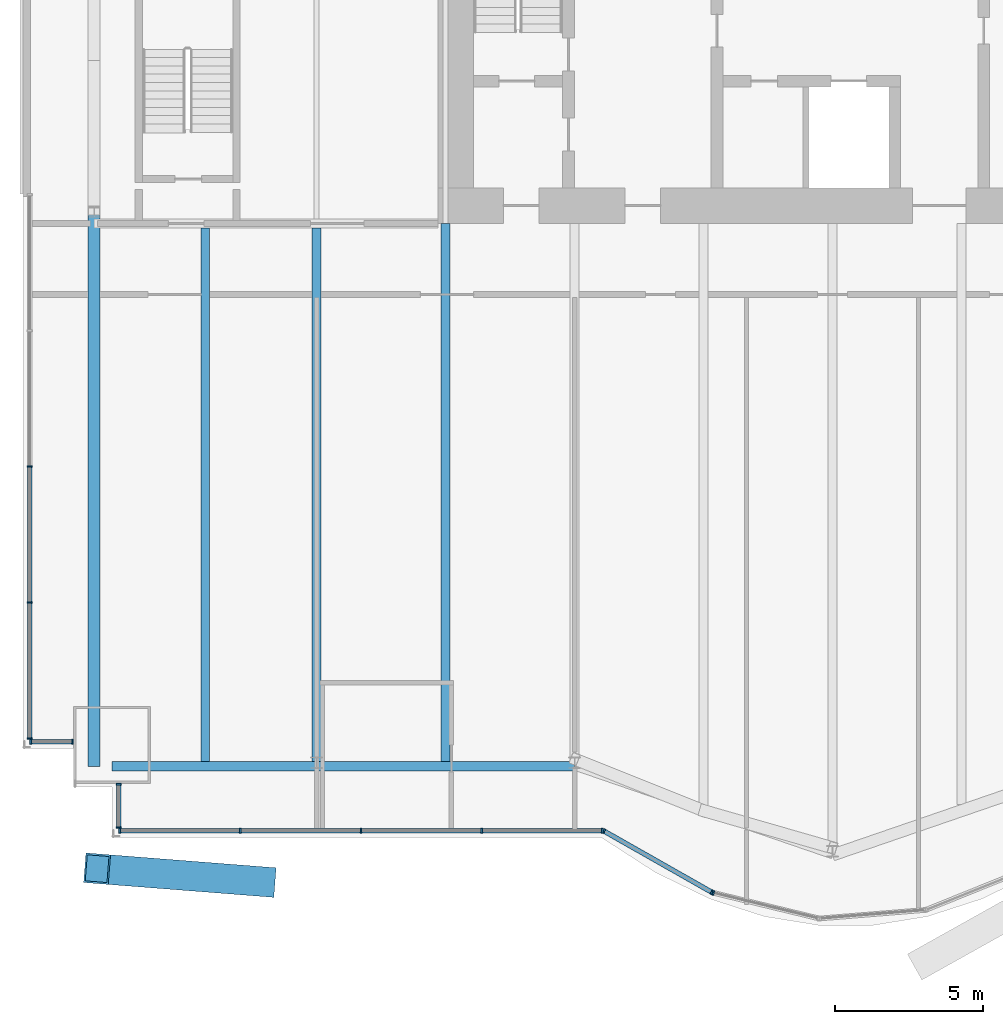
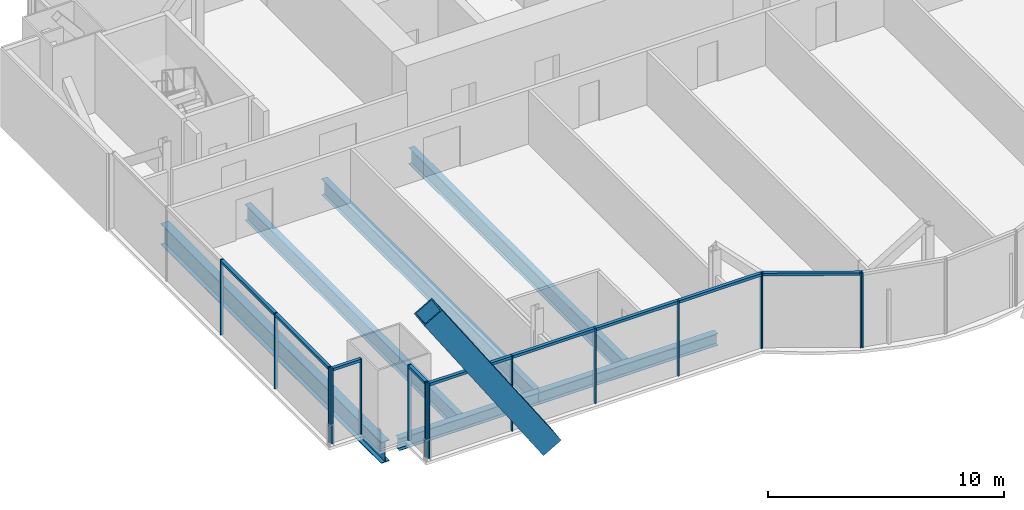
# One storey, part 5 of 21: 25 members, 6 beams, 5 elements without a shape of their own.
"""IFC4 building model written with IfcOpenShell, lengths in metres."""

from ifc_helpers import new_model, si_unit, direction, frame, origin, origin_2d, place, context, subcontext, project, spatial, rectangle, hollow_rectangle, i_section, extrude, material, material_profile, profile_set, type_object, element, aggregate, save


model = new_model("IFC4")

# Units and contexts
model_context = context("Model", 3, precision=1e-05, world=origin(), true_north=direction((0.0, 1.0)))
body_context = subcontext(model_context, "Body", "Model", "MODEL_VIEW")
ifc_project = project(units=[si_unit("LENGTHUNIT", "METRE"), si_unit("AREAUNIT", "SQUARE_METRE"), si_unit("VOLUMEUNIT", "CUBIC_METRE"), si_unit("PLANEANGLEUNIT", "RADIAN"), si_unit("MASSUNIT", "GRAM", prefix="KILO")], contexts=[model_context])

# Site, building, storey
site_placement = place(None, origin())
site = spatial("IfcSite", under=ifc_project, at=site_placement, CompositionType="ELEMENT")
building_placement = place(site_placement, origin())
building = spatial("IfcBuilding", under=site, at=building_placement, Name="Bicima Exchange Tower", CompositionType="ELEMENT")
storey_placement = place(building_placement, frame((0.0, 0.0, 181.39990234375)))
storey = spatial("IfcBuildingStorey", under=building, at=storey_placement, Name="L40", CompositionType="ELEMENT", Elevation=181.39990234375)

# Curtain wall, members
ifc_material_1 = material(Name="Anodised bronze aluminium", Category="aluminium")
curtain_wall_type_1 = type_object("IfcCurtainWallType", Name="End face glass wall", PredefinedType="NOTDEFINED", material=ifc_material_1)
curtain_wall_1_placement = place(storey_placement, origin())
curtain_wall_1 = element("IfcCurtainWall", 1, at=curtain_wall_1_placement, inside=storey, type_object=curtain_wall_type_1, Name="End face glass wall L40 run 2", PredefinedType="NOTDEFINED")
ifc_material_profile_1 = material_profile(ifc_material_1, rectangle(XDim=0.159912109375, YDim=0.06005859375, at=origin_2d()))
ifc_profile_set_1 = profile_set([ifc_material_profile_1], Name="Anodised bronze aluminium")
member_type_1 = type_object("IfcMemberType", Name="End face glass wall mullion 60 x 160", PredefinedType="MULLION", material=ifc_profile_set_1)
member_1_placement = place(storey_placement, frame((-35.77001953125, -21.197021484375, 0.0), z_axis=(0.0, 0.0, 1.0), x_axis=(1.0, 0.0, 0.0)))
member_1 = element("IfcMember", 2, at=member_1_placement, type_object=member_type_1, Name="End face glass wall mullion 3", PredefinedType="MULLION", context=body_context, shape_type="SweptSolid", body=[
    extrude(rectangle(XDim=0.159912109375, YDim=0.06005859375, at=origin_2d()), origin(), (0.0, 0.0, 1.0), 3.900146484375),
])
member_2_placement = place(storey_placement, frame((-35.77001953125, -25.780517578125, 0.0), z_axis=(0.0, 0.0, 1.0), x_axis=(1.0, 0.0, 0.0)))
member_2 = element("IfcMember", 3, at=member_2_placement, type_object=member_type_1, Name="End face glass wall mullion 4", PredefinedType="MULLION", context=body_context, shape_type="SweptSolid", body=[
    extrude(rectangle(XDim=0.159912109375, YDim=0.06005859375, at=origin_2d()), origin(), (0.0, 0.0, 1.0), 3.900146484375),
])
member_3_placement = place(storey_placement, frame((-35.77001953125, -30.364013671875, 0.0), z_axis=(0.0, 0.0, 1.0), x_axis=(1.0, 0.0, 0.0)))
member_3 = element("IfcMember", 4, at=member_3_placement, type_object=member_type_1, Name="End face glass wall mullion 5", PredefinedType="MULLION", context=body_context, shape_type="SweptSolid", body=[
    extrude(rectangle(XDim=0.159912109375, YDim=0.06005859375, at=origin_2d()), origin(), (0.0, 0.0, 1.0), 3.900146484375),
])
ifc_material_profile_2 = material_profile(ifc_material_1, rectangle(XDim=0.159912109375, YDim=0.139892578125, at=origin_2d()))
ifc_profile_set_2 = profile_set([ifc_material_profile_2], Name="Anodised bronze aluminium")
member_type_2 = type_object("IfcMemberType", Name="End face glass wall transom 140 x 160", PredefinedType="USERDEFINED", material=ifc_profile_set_2)
member_4_placement = place(storey_placement, frame((-35.77001953125, -21.22705078125, 3.830078125), z_axis=(0.0, -1.0, 0.0), x_axis=(1.0, 0.0, 0.0)))
member_4 = element("IfcMember", 5, at=member_4_placement, type_object=member_type_2, Name="End face glass wall transom 3.1", ObjectType="TRANSOM", PredefinedType="USERDEFINED", context=body_context, shape_type="SweptSolid", body=[
    extrude(rectangle(XDim=0.159912109375, YDim=0.139892578125, at=origin_2d()), origin(), (0.0, 0.0, 1.0), 4.5234375),
])
member_5_placement = place(storey_placement, frame((-35.77001953125, -25.810546875, 3.830078125), z_axis=(0.0, -1.0, 0.0), x_axis=(1.0, 0.0, 0.0)))
member_5 = element("IfcMember", 6, at=member_5_placement, type_object=member_type_2, Name="End face glass wall transom 4.1", ObjectType="TRANSOM", PredefinedType="USERDEFINED", context=body_context, shape_type="SweptSolid", body=[
    extrude(rectangle(XDim=0.159912109375, YDim=0.139892578125, at=origin_2d()), origin(), (0.0, 0.0, 1.0), 4.5234375),
])
aggregate(curtain_wall_1, [member_1, member_2, member_3, member_4, member_5])

# Beam
ifc_material_2 = material(Name="Steel ASTM A992 Gr 50", Category="steel")
ifc_material_profile_3 = material_profile(ifc_material_2, i_section(OverallWidth=0.4013671875, OverallDepth=1.089599609375, WebThickness=0.01806640625, FlangeThickness=0.031005859375, at=origin_2d()))
ifc_profile_set_3 = profile_set([ifc_material_profile_3], Name="Steel ASTM A992 Gr 50")
beam_type_1 = type_object("IfcBeamType", Name="End girder W44x230", PredefinedType="BEAM", material=ifc_profile_set_3)
beam_1_placement = place(storey_placement, frame((-33.60009765625, -12.60009765625, -0.69482421875), z_axis=(0.0, -1.0, 0.0), x_axis=(1.0, 0.0, 0.0)))
element("IfcBeam", 7, at=beam_1_placement, inside=storey, type_object=beam_type_1, Name="End girder", PredefinedType="BEAM", context=body_context, shape_type="SweptSolid", body=[
    extrude(i_section(OverallWidth=0.4013671875, OverallDepth=1.089599609375, WebThickness=0.01806640625, FlangeThickness=0.031005859375, at=origin_2d()), origin(), (0.0, 0.0, 1.0), 18.703857421875),
])

# Member
ifc_material_3 = material(Name="Steel ASTM A572 Gr 50", Category="steel")
ifc_material_profile_4 = material_profile(ifc_material_3, hollow_rectangle(XDim=1.0, YDim=1.0, WallThickness=0.06005859375, at=origin_2d()))
ifc_profile_set_4 = profile_set([ifc_material_profile_4], Name="Steel ASTM A572 Gr 50")
member_type_3 = type_object("IfcMemberType", Name="Exo mega brace BOX 1000x1000x60", PredefinedType="BRACE", material=ifc_profile_set_4)
member_6_placement = place(storey_placement, frame((-27.916748046875, -35.193115234375, 0.183349609375), z_axis=(-0.552269884762, 0.043178912675, 0.832546428666), x_axis=(-0.077946568622, -0.996957537932, 0.0)))
element("IfcMember", 8, at=member_6_placement, inside=storey, type_object=member_type_3, Name="Exo mega brace front", PredefinedType="BRACE", context=body_context, shape_type="SweptSolid", body=[
    extrude(hollow_rectangle(XDim=1.0, YDim=1.0, WallThickness=0.06005859375, at=origin_2d()), origin(), (0.0, 0.0, 1.0), 10.109619140625),
])

# Beams
ifc_material_profile_5 = material_profile(ifc_material_2, i_section(OverallWidth=0.2919921875, OverallDepth=0.835693359375, WebThickness=0.013916015625, FlangeThickness=0.018798828125, at=origin_2d()))
ifc_profile_set_5 = profile_set([ifc_material_profile_5], Name="Steel ASTM A992 Gr 50")
beam_type_2 = type_object("IfcBeamType", Name="Floor beam W33x118", PredefinedType="JOIST", material=ifc_profile_set_5)
for number, where, z_axis, x_axis, name in (
    (9, (-29.85009765625, -13.15234375, -0.567626953125), (0.0, -1.0, 0.0), (1.0, 0.0, 0.0), "Floor beam"),
    (10, (-26.10009765625, -13.15234375, -0.567626953125), (0.0, -1.0, 0.0), (1.0, 0.0, 0.0), "Floor beam"),
):
    element("IfcBeam", number, at=place(storey_placement, frame(where, z_axis=z_axis, x_axis=x_axis)), inside=storey, type_object=beam_type_2, Name=name, PredefinedType="JOIST", context=body_context, shape_type="SweptSolid", body=[
        extrude(i_section(OverallWidth=0.2919921875, OverallDepth=0.835693359375, WebThickness=0.013916015625, FlangeThickness=0.018798828125, at=origin_2d()), origin(), (0.0, 0.0, 1.0), 17.989013671875),
    ])
beam_2_placement = place(storey_placement, frame((-21.75, -13.0, -0.567626953125), z_axis=(0.0, -1.0, 0.0), x_axis=(1.0, 0.0, 0.0)))
element("IfcBeam", 11, at=beam_2_placement, inside=storey, type_object=beam_type_2, Name="Floor beam", PredefinedType="JOIST", context=body_context, shape_type="SweptSolid", body=[
    extrude(i_section(OverallWidth=0.2919921875, OverallDepth=0.835693359375, WebThickness=0.013916015625, FlangeThickness=0.018798828125, at=origin_2d()), origin(), (0.0, 0.0, 1.0), 18.141357421875),
])
ifc_material_profile_6 = material_profile(ifc_material_2, i_section(OverallWidth=0.3251953125, OverallDepth=0.612060546875, WebThickness=0.0126953125, FlangeThickness=0.01904296875, at=origin_2d()))
ifc_profile_set_6 = profile_set([ifc_material_profile_6], Name="Steel ASTM A992 Gr 50")
beam_type_3 = type_object("IfcBeamType", Name="Front girder W24x104", PredefinedType="BEAM", material=ifc_profile_set_6)
beam_3_placement = place(storey_placement, frame((-33.0, -31.303955078125, -0.4560546875), z_axis=(1.0, 0.0, 0.0), x_axis=(0.0, 1.0, 0.0)))
element("IfcBeam", 12, at=beam_3_placement, inside=storey, type_object=beam_type_3, Name="Front girder", PredefinedType="BEAM", context=body_context, shape_type="SweptSolid", body=[
    extrude(i_section(OverallWidth=0.3251953125, OverallDepth=0.612060546875, WebThickness=0.0126953125, FlangeThickness=0.01904296875, at=origin_2d()), origin(), (0.0, 0.0, 1.0), 6.89990234375),
])
beam_4_placement = place(storey_placement, frame((-26.10009765625, -31.303955078125, -0.4560546875), z_axis=(1.0, 0.0, 0.0), x_axis=(0.0, 1.0, 0.0)))
element("IfcBeam", 13, at=beam_4_placement, inside=storey, type_object=beam_type_3, Name="Front girder", PredefinedType="BEAM", context=body_context, shape_type="SweptSolid", body=[
    extrude(i_section(OverallWidth=0.3251953125, OverallDepth=0.612060546875, WebThickness=0.0126953125, FlangeThickness=0.01904296875, at=origin_2d()), origin(), (0.0, 0.0, 1.0), 8.7001953125),
])

# Curtain wall, members
curtain_wall_type_2 = type_object("IfcCurtainWallType", Name="Front glass wall", PredefinedType="NOTDEFINED", material=ifc_material_1)
curtain_wall_2_placement = place(storey_placement, origin())
curtain_wall_2 = element("IfcCurtainWall", 14, at=curtain_wall_2_placement, inside=storey, type_object=curtain_wall_type_2, Name="Front glass wall L40 run 3", PredefinedType="NOTDEFINED")
member_type_4 = type_object("IfcMemberType", Name="Front glass wall mullion 60 x 160", PredefinedType="MULLION", material=ifc_profile_set_1)
member_7_placement = place(storey_placement, frame((-35.739990234375, -30.47412109375, 0.0), z_axis=(0.0, 0.0, 1.0), x_axis=(0.0, 1.0, 0.0)))
member_7 = element("IfcMember", 15, at=member_7_placement, type_object=member_type_4, Name="Front glass wall mullion 1", PredefinedType="MULLION", context=body_context, shape_type="SweptSolid", body=[
    extrude(rectangle(XDim=0.159912109375, YDim=0.06005859375, at=origin_2d()), origin(), (0.0, 0.0, 1.0), 3.900146484375),
])
member_8_placement = place(storey_placement, frame((-34.330078125, -30.47412109375, 0.0), z_axis=(0.0, 0.0, 1.0), x_axis=(0.0, 1.0, 0.0)))
member_8 = element("IfcMember", 16, at=member_8_placement, type_object=member_type_4, Name="Front glass wall mullion 2", PredefinedType="MULLION", context=body_context, shape_type="SweptSolid", body=[
    extrude(rectangle(XDim=0.159912109375, YDim=0.06005859375, at=origin_2d()), origin(), (0.0, 0.0, 1.0), 3.900146484375),
])

curtain_wall_3_placement = place(storey_placement, origin())
curtain_wall_3 = element("IfcCurtainWall", 17, at=curtain_wall_3_placement, inside=storey, type_object=curtain_wall_type_2, Name="Front glass wall L40 run 4", PredefinedType="NOTDEFINED")
member_9_placement = place(storey_placement, frame((-32.77001953125, -31.912109375, 0.0), z_axis=(0.0, 0.0, 1.0), x_axis=(1.0, 0.0, 0.0)))
member_9 = element("IfcMember", 18, at=member_9_placement, type_object=member_type_4, Name="Front glass wall mullion 1", PredefinedType="MULLION", context=body_context, shape_type="SweptSolid", body=[
    extrude(rectangle(XDim=0.159912109375, YDim=0.06005859375, at=origin_2d()), origin(), (0.0, 0.0, 1.0), 3.900146484375),
])
member_10_placement = place(storey_placement, frame((-32.77001953125, -33.364013671875, 0.0), z_axis=(0.0, 0.0, 1.0), x_axis=(1.0, 0.0, 0.0)))
member_10 = element("IfcMember", 19, at=member_10_placement, type_object=member_type_4, Name="Front glass wall mullion 2", PredefinedType="MULLION", context=body_context, shape_type="SweptSolid", body=[
    extrude(rectangle(XDim=0.159912109375, YDim=0.06005859375, at=origin_2d()), origin(), (0.0, 0.0, 1.0), 3.900146484375),
])

curtain_wall_4_placement = place(storey_placement, origin())
curtain_wall_4 = element("IfcCurtainWall", 20, at=curtain_wall_4_placement, inside=storey, type_object=curtain_wall_type_2, Name="Front glass wall L40 run 5", PredefinedType="NOTDEFINED")
member_11_placement = place(storey_placement, frame((-32.739990234375, -33.47412109375, 0.0), z_axis=(0.0, 0.0, 1.0), x_axis=(0.0, 1.0, 0.0)))
member_11 = element("IfcMember", 21, at=member_11_placement, type_object=member_type_4, Name="Front glass wall mullion 1", PredefinedType="MULLION", context=body_context, shape_type="SweptSolid", body=[
    extrude(rectangle(XDim=0.159912109375, YDim=0.06005859375, at=origin_2d()), origin(), (0.0, 0.0, 1.0), 3.900146484375),
])
member_12_placement = place(storey_placement, frame((-28.67041015625, -33.47412109375, 0.0), z_axis=(0.0, 0.0, 1.0), x_axis=(0.0, 1.0, 0.0)))
member_12 = element("IfcMember", 22, at=member_12_placement, type_object=member_type_4, Name="Front glass wall mullion 2", PredefinedType="MULLION", context=body_context, shape_type="SweptSolid", body=[
    extrude(rectangle(XDim=0.159912109375, YDim=0.06005859375, at=origin_2d()), origin(), (0.0, 0.0, 1.0), 3.900146484375),
])
member_13_placement = place(storey_placement, frame((-24.60107421875, -33.47412109375, 0.0), z_axis=(0.0, 0.0, 1.0), x_axis=(0.0, 1.0, 0.0)))
member_13 = element("IfcMember", 23, at=member_13_placement, type_object=member_type_4, Name="Front glass wall mullion 3", PredefinedType="MULLION", context=body_context, shape_type="SweptSolid", body=[
    extrude(rectangle(XDim=0.159912109375, YDim=0.06005859375, at=origin_2d()), origin(), (0.0, 0.0, 1.0), 3.900146484375),
])
member_14_placement = place(storey_placement, frame((-20.531494140625, -33.47412109375, 0.0), z_axis=(0.0, 0.0, 1.0), x_axis=(0.0, 1.0, 0.0)))
member_14 = element("IfcMember", 24, at=member_14_placement, type_object=member_type_4, Name="Front glass wall mullion 4", PredefinedType="MULLION", context=body_context, shape_type="SweptSolid", body=[
    extrude(rectangle(XDim=0.159912109375, YDim=0.06005859375, at=origin_2d()), origin(), (0.0, 0.0, 1.0), 3.900146484375),
])
member_15_placement = place(storey_placement, frame((-16.462158203125, -33.47412109375, 0.0), z_axis=(0.0, 0.0, 1.0), x_axis=(0.0, 1.0, 0.0)))
member_15 = element("IfcMember", 25, at=member_15_placement, type_object=member_type_4, Name="Front glass wall mullion 5", PredefinedType="MULLION", context=body_context, shape_type="SweptSolid", body=[
    extrude(rectangle(XDim=0.159912109375, YDim=0.06005859375, at=origin_2d()), origin(), (0.0, 0.0, 1.0), 3.900146484375),
])

curtain_wall_5_placement = place(storey_placement, origin())
curtain_wall_5 = element("IfcCurtainWall", 26, at=curtain_wall_5_placement, inside=storey, type_object=curtain_wall_type_2, Name="Front glass wall L40 run 6", PredefinedType="NOTDEFINED")
member_16_placement = place(storey_placement, frame((-16.406005859375, -33.48876953125, 0.0), z_axis=(0.0, 0.0, 1.0), x_axis=(0.493395449343, 0.869805110681, 0.0)))
member_16 = element("IfcMember", 27, at=member_16_placement, type_object=member_type_4, Name="Front glass wall mullion 1", PredefinedType="MULLION", context=body_context, shape_type="SweptSolid", body=[
    extrude(rectangle(XDim=0.159912109375, YDim=0.06005859375, at=origin_2d()), origin(), (0.0, 0.0, 1.0), 3.900146484375),
])
member_17_placement = place(storey_placement, frame((-12.7734375, -35.54931640625, 0.0), z_axis=(0.0, 0.0, 1.0), x_axis=(0.493395449343, 0.869805110681, 0.0)))
member_17 = element("IfcMember", 28, at=member_17_placement, type_object=member_type_4, Name="Front glass wall mullion 2", PredefinedType="MULLION", context=body_context, shape_type="SweptSolid", body=[
    extrude(rectangle(XDim=0.159912109375, YDim=0.06005859375, at=origin_2d()), origin(), (0.0, 0.0, 1.0), 3.900146484375),
])
member_18_placement = place(storey_placement, frame((-12.718017578125, -35.5712890625, 0.0), z_axis=(0.0, 0.0, 1.0), x_axis=(0.235681529503, 0.971830343553, 0.0)))
member_18 = element("IfcMember", 29, at=member_18_placement, type_object=member_type_4, Name="Front glass wall mullion 1", PredefinedType="MULLION", context=body_context, shape_type="SweptSolid", body=[
    extrude(rectangle(XDim=0.159912109375, YDim=0.06005859375, at=origin_2d()), origin(), (0.0, 0.0, 1.0), 3.900146484375),
])

# Member
member_type_5 = type_object("IfcMemberType", Name="Front glass wall transom 140 x 160", PredefinedType="USERDEFINED", material=ifc_profile_set_2)
member_19_placement = place(storey_placement, frame((-35.7099609375, -30.47412109375, 3.830078125), z_axis=(1.0, 0.0, 0.0), x_axis=(0.0, 1.0, 0.0)))
member_19 = element("IfcMember", 30, at=member_19_placement, type_object=member_type_5, Name="Front glass wall transom 1.1", ObjectType="TRANSOM", PredefinedType="USERDEFINED", context=body_context, shape_type="SweptSolid", body=[
    extrude(rectangle(XDim=0.159912109375, YDim=0.139892578125, at=origin_2d()), origin(), (0.0, 0.0, 1.0), 1.349853515625),
])

aggregate(curtain_wall_2, [member_7, member_8, member_19])

member_20_placement = place(storey_placement, frame((-32.77001953125, -31.94189453125, 3.830078125), z_axis=(0.0, -1.0, 0.0), x_axis=(1.0, 0.0, 0.0)))
member_20 = element("IfcMember", 31, at=member_20_placement, type_object=member_type_5, Name="Front glass wall transom 1.1", ObjectType="TRANSOM", PredefinedType="USERDEFINED", context=body_context, shape_type="SweptSolid", body=[
    extrude(rectangle(XDim=0.159912109375, YDim=0.139892578125, at=origin_2d()), origin(), (0.0, 0.0, 1.0), 1.39208984375),
])

aggregate(curtain_wall_3, [member_9, member_10, member_20])

member_21_placement = place(storey_placement, frame((-32.7099609375, -33.47412109375, 3.830078125), z_axis=(1.0, 0.0, 0.0), x_axis=(0.0, 1.0, 0.0)))
member_21 = element("IfcMember", 32, at=member_21_placement, type_object=member_type_5, Name="Front glass wall transom 1.1", ObjectType="TRANSOM", PredefinedType="USERDEFINED", context=body_context, shape_type="SweptSolid", body=[
    extrude(rectangle(XDim=0.159912109375, YDim=0.139892578125, at=origin_2d()), origin(), (0.0, 0.0, 1.0), 4.009521484375),
])

member_22_placement = place(storey_placement, frame((-28.640380859375, -33.47412109375, 3.830078125), z_axis=(1.0, 0.0, 0.0), x_axis=(0.0, 1.0, 0.0)))
member_22 = element("IfcMember", 33, at=member_22_placement, type_object=member_type_5, Name="Front glass wall transom 2.1", ObjectType="TRANSOM", PredefinedType="USERDEFINED", context=body_context, shape_type="SweptSolid", body=[
    extrude(rectangle(XDim=0.159912109375, YDim=0.139892578125, at=origin_2d()), origin(), (0.0, 0.0, 1.0), 4.00927734375),
])

member_23_placement = place(storey_placement, frame((-24.571044921875, -33.47412109375, 3.830078125), z_axis=(1.0, 0.0, 0.0), x_axis=(0.0, 1.0, 0.0)))
member_23 = element("IfcMember", 34, at=member_23_placement, type_object=member_type_5, Name="Front glass wall transom 3.1", ObjectType="TRANSOM", PredefinedType="USERDEFINED", context=body_context, shape_type="SweptSolid", body=[
    extrude(rectangle(XDim=0.159912109375, YDim=0.139892578125, at=origin_2d()), origin(), (0.0, 0.0, 1.0), 4.009521484375),
])

member_24_placement = place(storey_placement, frame((-20.501708984375, -33.47412109375, 3.830078125), z_axis=(1.0, 0.0, 0.0), x_axis=(0.0, 1.0, 0.0)))
member_24 = element("IfcMember", 35, at=member_24_placement, type_object=member_type_5, Name="Front glass wall transom 4.1", ObjectType="TRANSOM", PredefinedType="USERDEFINED", context=body_context, shape_type="SweptSolid", body=[
    extrude(rectangle(XDim=0.159912109375, YDim=0.139892578125, at=origin_2d()), origin(), (0.0, 0.0, 1.0), 4.009521484375),
])

aggregate(curtain_wall_4, [member_11, member_12, member_13, member_14, member_15, member_21, member_22, member_23, member_24])

member_25_placement = place(storey_placement, frame((-16.3798828125, -33.503662109375, 3.830078125), z_axis=(0.869797371721, -0.49340909208, 0.0), x_axis=(0.49340909208, 0.869797371721, 0.0)))
member_25 = element("IfcMember", 36, at=member_25_placement, type_object=member_type_5, Name="Front glass wall transom 1.1", ObjectType="TRANSOM", PredefinedType="USERDEFINED", context=body_context, shape_type="SweptSolid", body=[
    extrude(rectangle(XDim=0.159912109375, YDim=0.139892578125, at=origin_2d()), origin(), (0.0, 0.0, 1.0), 4.1162109375),
])

aggregate(curtain_wall_5, [member_16, member_17, member_25, member_18])

save(model, "model.ifc")
